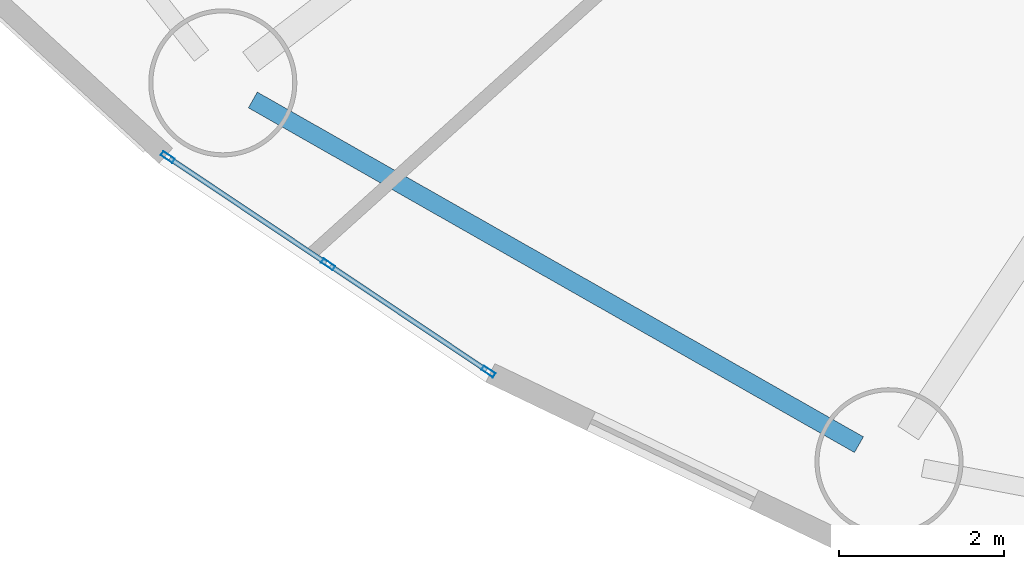
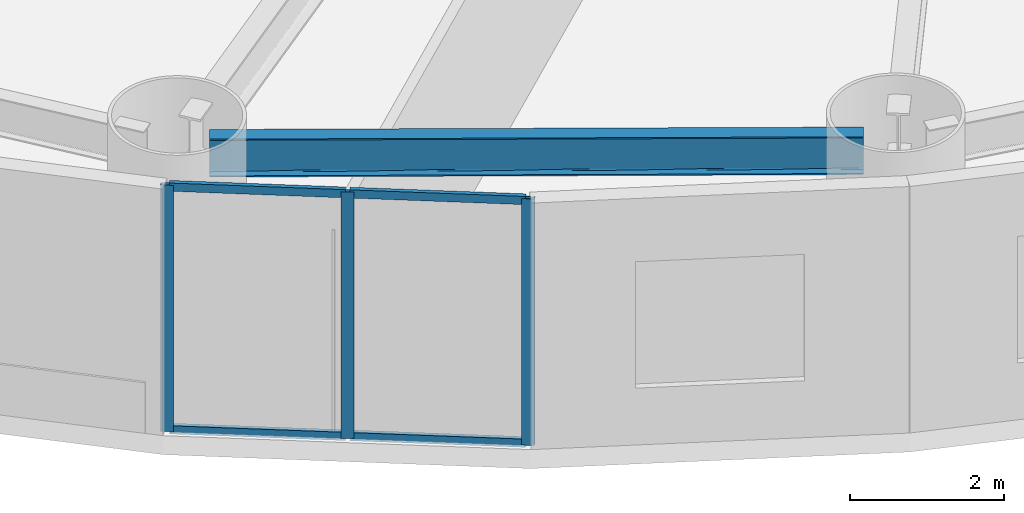
# One storey, part 4 of 31: 7 members, 1 beam, 1 element without a shape of its own.
"""IFC4 building model written with IfcOpenShell, lengths in metres."""

from ifc_helpers import new_model, si_unit, direction, frame, origin, origin_2d, place, context, subcontext, project, spatial, hollow_rectangle, i_section, extrude, source, transform, mapped, material, layer, layer_set, material_profile, profile_set, type_object, element, aggregate, save


model = new_model("IFC4")

# Units and contexts
model_context = context("Model", 3, precision=1e-05, world=origin(), true_north=direction((0.0, 1.0)))
body_context = subcontext(model_context, "Body", "Model", "MODEL_VIEW")
ifc_project = project(units=[si_unit("LENGTHUNIT", "METRE"), si_unit("AREAUNIT", "SQUARE_METRE"), si_unit("VOLUMEUNIT", "CUBIC_METRE"), si_unit("PLANEANGLEUNIT", "RADIAN"), si_unit("MASSUNIT", "GRAM", prefix="KILO")], contexts=[model_context])

# Site, building, storey
site_placement = place(None, origin())
site = spatial("IfcSite", under=ifc_project, at=site_placement, CompositionType="ELEMENT")
building_placement = place(site_placement, origin())
building = spatial("IfcBuilding", under=site, at=building_placement, Name="Linh Dai School and Residence Tower", CompositionType="ELEMENT")
storey_placement = place(building_placement, frame((0.0, 0.0, 6.0)))
storey = spatial("IfcBuildingStorey", under=building, at=storey_placement, Name="L01", CompositionType="ELEMENT", Elevation=6.0)

# Beam
ifc_material_1 = material(Name="Structural Steel S355JR", Category="steel")
ifc_material_profile_1 = material_profile(ifc_material_1, i_section(OverallWidth=0.219970703125, OverallDepth=0.60009765625, WebThickness=0.011962890625, FlangeThickness=0.01904296875, FilletRadius=0.02392578125, at=origin_2d()), Name="IPE 600")
ifc_profile_set_1 = profile_set([ifc_material_profile_1], Name="Structural Steel S355JR")
beam_type = type_object("IfcBeamType", Name="BM-RB60", PredefinedType="BEAM", material=ifc_profile_set_1)
beam_placement = place(storey_placement, frame((13.659912109375, 9.3916015625, 3.60009765625), z_axis=(0.869246663758, -0.494378637833, 0.0), x_axis=(0.494378637833, 0.869246663758, 0.0)))
element("IfcBeam", 1, at=beam_placement, inside=storey, type_object=beam_type, Name="L01 Perimeter Elliptical Ring Beam 11", PredefinedType="BEAM", context=body_context, shape_type="SweptSolid", body=[
    extrude(i_section(OverallWidth=0.219970703125, OverallDepth=0.60009765625, WebThickness=0.011962890625, FlangeThickness=0.01904296875, FilletRadius=0.02392578125, at=origin_2d()), origin(), (0.0, 0.0, 1.0), 8.4736328125),
])

# Curtain wall, members
ifc_material_2 = material(Name="Aluminium Anodised Curtain Wall", Category="aluminium")
ifc_layer = layer(ifc_material_2, 0.169921875)
ifc_layer_set = layer_set([ifc_layer], Name="Aluminium Anodised Curtain Wall")
curtain_wall_type = type_object("IfcCurtainWallType", Name="CW-SYS-2", PredefinedType="USERDEFINED", material=ifc_layer_set)
curtain_wall_placement = place(storey_placement, origin())
curtain_wall = element("IfcCurtainWall", 2, at=curtain_wall_placement, inside=storey, type_object=curtain_wall_type, Name="L01 CW2 Curtain Wall 26", ObjectType="UNITISED CURTAIN WALL", PredefinedType="USERDEFINED")
ifc_material_3 = material(Name="Aluminium Alloy 6063-T6", Category="aluminium")
ifc_material_profile_2 = material_profile(ifc_material_3, hollow_rectangle(XDim=0.06005859375, YDim=0.169921875, WallThickness=0.00390625, at=origin_2d()), Name="RHS 170x60x4")
ifc_profile_set_2 = profile_set([ifc_material_profile_2], Name="Aluminium Alloy 6063-T6")
member_type_1 = type_object("IfcMemberType", Name="CW-SYS-2-MUL", PredefinedType="MULLION", material=ifc_profile_set_2)
shared_shape_1 = source(origin(), body_context, "Body", "SweptSolid", [
    extrude(hollow_rectangle(XDim=0.06005859375, YDim=0.169921875, WallThickness=0.00390625, at=origin_2d()), origin(), (0.0, 0.0, 1.0), 3.89990234375),
])
member_1_placement = place(storey_placement, frame((16.5224609375, 6.0908203125, 0.0), z_axis=(0.0, 0.0, 1.0), x_axis=(-0.555956563843, -0.831211344437, 0.0)))
member_1 = element("IfcMember", 3, at=member_1_placement, type_object=member_type_1, Name="CW2 mullion 1", PredefinedType="MULLION", context=body_context, shape_type="MappedRepresentation", body=[
    mapped(shared_shape_1, transform((0.0, 0.0, 0.0), x_axis=(1.0, 0.0, 0.0), y_axis=(0.0, 1.0, 0.0), z_axis=(0.0, 0.0, 1.0), scale=1.0)),
])
member_2_placement = place(storey_placement, frame((14.57421875, 7.393798828125, 0.0), z_axis=(0.0, 0.0, 1.0), x_axis=(-0.555956563843, -0.831211344437, 0.0)))
member_2 = element("IfcMember", 4, at=member_2_placement, type_object=member_type_1, Name="CW2 mullion 2", PredefinedType="MULLION", context=body_context, shape_type="MappedRepresentation", body=[
    mapped(shared_shape_1, transform((0.0, 0.0, 0.0), x_axis=(1.0, 0.0, 0.0), y_axis=(0.0, 1.0, 0.0), z_axis=(0.0, 0.0, 1.0), scale=1.0)),
])
member_3_placement = place(storey_placement, frame((12.6259765625, 8.697021484375, 0.0), z_axis=(0.0, 0.0, 1.0), x_axis=(-0.555956563843, -0.831211344437, 0.0)))
member_3 = element("IfcMember", 5, at=member_3_placement, type_object=member_type_1, Name="CW2 mullion 3", PredefinedType="MULLION", context=body_context, shape_type="MappedRepresentation", body=[
    mapped(shared_shape_1, transform((0.0, 0.0, 0.0), x_axis=(1.0, 0.0, 0.0), y_axis=(0.0, 1.0, 0.0), z_axis=(0.0, 0.0, 1.0), scale=1.0)),
])
ifc_material_profile_3 = material_profile(ifc_material_3, hollow_rectangle(XDim=0.06005859375, YDim=0.1298828125, WallThickness=0.00390625, at=origin_2d()), Name="RHS 130x60x4")
ifc_profile_set_3 = profile_set([ifc_material_profile_3], Name="Aluminium Alloy 6063-T6")
member_type_2 = type_object("IfcMemberType", Name="CW-SYS-2-TRN", PredefinedType="USERDEFINED", material=ifc_profile_set_3)
shared_shape_2 = source(origin(), body_context, "Body", "SweptSolid", [
    extrude(hollow_rectangle(XDim=0.06005859375, YDim=0.1298828125, WallThickness=0.00390625, at=origin_2d()), origin(), (0.0, 0.0, 1.0), 2.28369140625),
])
member_4_placement = place(storey_placement, frame((16.49755859375, 6.107666015625, 0.030029296875), z_axis=(-0.831260031008, 0.555883765592, 0.0), x_axis=(-0.555883765592, -0.831260031008, 0.0)))
member_4 = element("IfcMember", 6, at=member_4_placement, type_object=member_type_2, Name="CW2 transom 1.1", ObjectType="TRANSOM", PredefinedType="USERDEFINED", context=body_context, shape_type="MappedRepresentation", body=[
    mapped(shared_shape_2, transform((0.0, 0.0, 0.0), x_axis=(1.0, 0.0, 0.0), y_axis=(0.0, 1.0, 0.0), z_axis=(0.0, 0.0, 1.0), scale=1.0)),
])
member_5_placement = place(storey_placement, frame((16.49755859375, 6.107666015625, 3.8701171875), z_axis=(-0.831260031008, 0.555883765592, 0.0), x_axis=(-0.555883765592, -0.831260031008, 0.0)))
member_5 = element("IfcMember", 7, at=member_5_placement, type_object=member_type_2, Name="CW2 transom 1.2", ObjectType="TRANSOM", PredefinedType="USERDEFINED", context=body_context, shape_type="MappedRepresentation", body=[
    mapped(shared_shape_2, transform((0.0, 0.0, 0.0), x_axis=(1.0, 0.0, 0.0), y_axis=(0.0, 1.0, 0.0), z_axis=(0.0, 0.0, 1.0), scale=1.0)),
])
member_6_placement = place(storey_placement, frame((14.54931640625, 7.41064453125, 0.030029296875), z_axis=(-0.831260031008, 0.555883765592, 0.0), x_axis=(-0.555883765592, -0.831260031008, 0.0)))
member_6 = element("IfcMember", 8, at=member_6_placement, type_object=member_type_2, Name="CW2 transom 2.1", ObjectType="TRANSOM", PredefinedType="USERDEFINED", context=body_context, shape_type="MappedRepresentation", body=[
    mapped(shared_shape_2, transform((0.0, 0.0, 0.0), x_axis=(1.0, 0.0, 0.0), y_axis=(0.0, 1.0, 0.0), z_axis=(0.0, 0.0, 1.0), scale=1.0)),
])
member_7_placement = place(storey_placement, frame((14.54931640625, 7.41064453125, 3.8701171875), z_axis=(-0.831260031008, 0.555883765592, 0.0), x_axis=(-0.555883765592, -0.831260031008, 0.0)))
member_7 = element("IfcMember", 9, at=member_7_placement, type_object=member_type_2, Name="CW2 transom 2.2", ObjectType="TRANSOM", PredefinedType="USERDEFINED", context=body_context, shape_type="MappedRepresentation", body=[
    mapped(shared_shape_2, transform((0.0, 0.0, 0.0), x_axis=(1.0, 0.0, 0.0), y_axis=(0.0, 1.0, 0.0), z_axis=(0.0, 0.0, 1.0), scale=1.0)),
])
aggregate(curtain_wall, [member_1, member_2, member_3, member_4, member_5, member_6, member_7])

save(model, "model.ifc")
